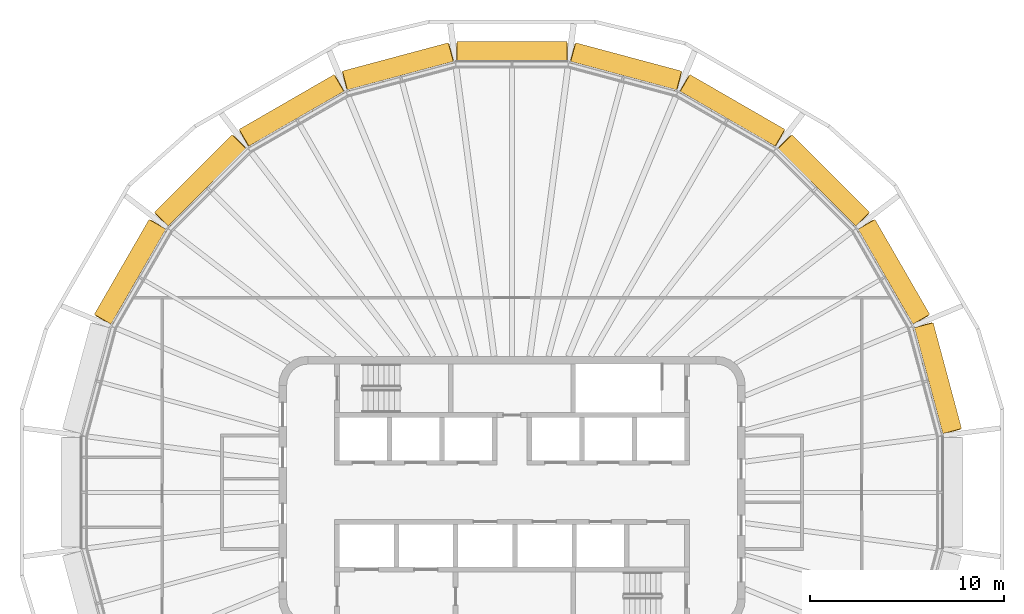
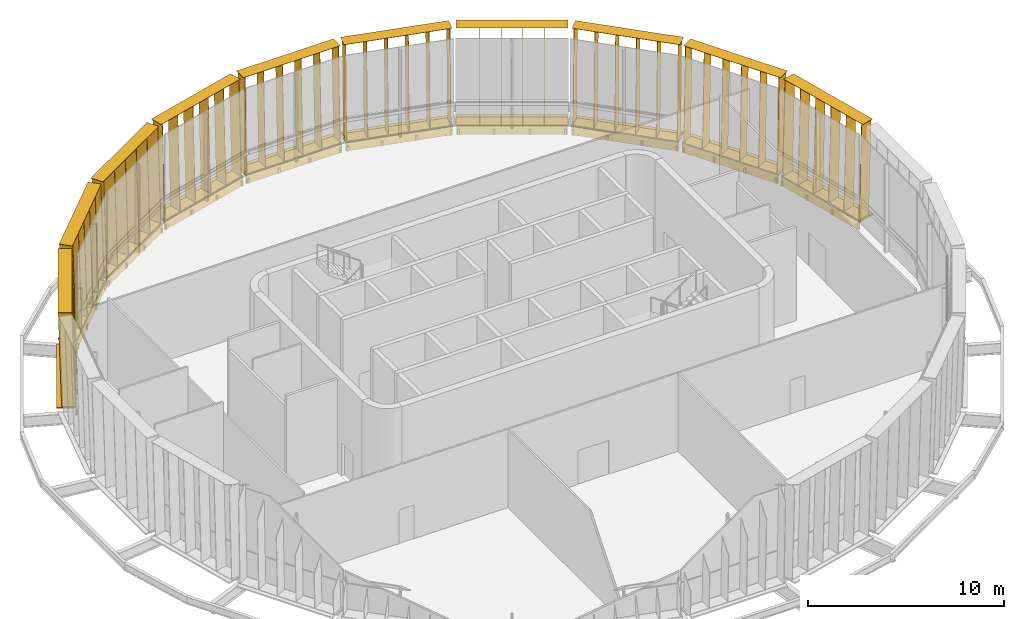
# One storey, part 14 of 14: 20 shading devices.
"""IFC4 building model written with IfcOpenShell, lengths in metres."""

import ifcopenshell
import ifcopenshell.guid

model = None  # the IFC model being written
_history = None  # IfcOwnerHistory: only IFC2X3 demands one
_inside = {}  # id of a spatial element -> (the spatial element, [elements in it])
_under = {}  # id of a project, library or spatial element -> (it, [spatial elements below it])
_declared = {}  # id of a project -> (the project, [libraries it declares])
_typed = {}  # id of a type object -> (the type object, [elements of that type])
_made_of = {}  # id of a material, layer set ... -> (it, [elements and type objects made of it])


def new_model(schema):
    """Start an empty IFC model of exactly this schema.

    Asked for "IFC4X3", IfcOpenShell would pick the latest addendum, in which some entities
    have other attributes; the version numbers below select the first issue.
    IFC2X3 requires an IfcOwnerHistory on every rooted entity: one is made here for all.
    """
    global model, _history
    if schema == "IFC4X3":
        model = ifcopenshell.file(schema_version=(4, 3, 0, 0))
    else:
        model = ifcopenshell.file(schema=schema)
    _inside.clear()
    _under.clear()
    _declared.clear()
    _typed.clear()
    _made_of.clear()
    _history = None
    if model.schema == "IFC2X3":
        org = make("IfcOrganization", Name="unknown")
        user = make(
            "IfcPersonAndOrganization",
            ThePerson=make("IfcPerson", FamilyName="unknown"),
            TheOrganization=org,
        )
        app = make(
            "IfcApplication",
            ApplicationDeveloper=org,
            Version="unknown",
            ApplicationFullName="unknown",
            ApplicationIdentifier="unknown",
        )
        _history = make(
            "IfcOwnerHistory",
            OwningUser=user,
            OwningApplication=app,
            ChangeAction="ADDED",
            CreationDate=0,
        )
    return model


def make(cls, **values):
    """One entity of the class cls with the attributes given. An attribute that is None is left unset."""
    return model.create_entity(
        cls, **{name: value for name, value in values.items() if value is not None}
    )


def rooted(cls, **values):
    """An entity with a GlobalId (a new one), such as an element, a storey or a relation."""
    return make(cls, GlobalId=ifcopenshell.guid.new(), OwnerHistory=_history, **values)


def si_unit(unit_type, name, prefix=None):
    """IfcSIUnit, for example si_unit("LENGTHUNIT", "METRE", prefix="MILLI")."""
    return make("IfcSIUnit", UnitType=unit_type, Prefix=prefix, Name=name)


def assignment(units):
    """IfcUnitAssignment: the units of a project."""
    return None if units is None else make("IfcUnitAssignment", Units=units)


def point(xyz):
    """IfcCartesianPoint."""
    return None if xyz is None else make("IfcCartesianPoint", Coordinates=xyz)


def direction(xyz):
    """IfcDirection."""
    return None if xyz is None else make("IfcDirection", DirectionRatios=xyz)


def frame(location, z_axis=None, x_axis=None):
    """IfcAxis2Placement3D, a coordinate frame: its origin and axes. An axis left out is left unset."""
    return make(
        "IfcAxis2Placement3D",
        Location=point(location),
        Axis=direction(z_axis),
        RefDirection=direction(x_axis),
    )


def frame_2d(location, x_axis=None):
    """IfcAxis2Placement2D, a coordinate frame in the plane: its origin and x axis."""
    return make(
        "IfcAxis2Placement2D", Location=point(location), RefDirection=direction(x_axis)
    )


def origin():
    """The frame at (0, 0, 0) with its axes left unset."""
    return frame((0.0, 0.0, 0.0))


def origin_2d():
    """The frame at (0, 0) in the plane with its x axis left unset."""
    return frame_2d((0.0, 0.0))


def place(relative_to, where):
    """IfcLocalPlacement: puts the frame where relative to a parent placement (None: the world)."""
    return make(
        "IfcLocalPlacement", PlacementRelTo=relative_to, RelativePlacement=where
    )


def context(
    kind, dimensions, precision=None, world=None, true_north=None, identifier=None
):
    """IfcGeometricRepresentationContext, for example the 3D "Model" context."""
    return make(
        "IfcGeometricRepresentationContext",
        ContextIdentifier=identifier,
        ContextType=kind,
        CoordinateSpaceDimension=dimensions,
        Precision=precision,
        WorldCoordinateSystem=world,
        TrueNorth=true_north,
    )


def subcontext(parent, identifier, kind, view, scale=None):
    """IfcGeometricRepresentationSubContext, for example "Body" below "Model"."""
    return make(
        "IfcGeometricRepresentationSubContext",
        ContextIdentifier=identifier,
        ContextType=kind,
        ParentContext=parent,
        TargetScale=scale,
        TargetView=view,
    )


def project(units=None, contexts=None):
    """IfcProject with its units and contexts."""
    return rooted(
        "IfcProject",
        Name="project",
        RepresentationContexts=contexts,
        UnitsInContext=assignment(units),
    )


def spatial(cls, under=None, at=None, **own):
    """A site, building, storey or space (cls), placed at a placement, below another one or the project."""
    s = rooted(cls, ObjectPlacement=at, **own)
    if under is not None:
        _under.setdefault(under.id(), (under, []))[1].append(s)
    return s


def profile(cls, at=None, kind="AREA", **sizes):
    """A parametric profile (cls). Its sizes go by their IFC names, for example OverallWidth=200.0."""
    return make(cls, ProfileType=kind, Position=at, **sizes)


def rectangle(**sizes):
    """IfcRectangleProfileDef."""
    return profile("IfcRectangleProfileDef", **sizes)


def extrude(swept, where, along, depth):
    """IfcExtrudedAreaSolid: the profile swept, set in the frame where, extruded along a direction by depth."""
    return make(
        "IfcExtrudedAreaSolid",
        SweptArea=swept,
        Position=where,
        ExtrudedDirection=direction(along),
        Depth=depth,
    )


def shape(context_of_items, identifier, shape_type, items):
    """IfcShapeRepresentation: the items that make up one representation, for example the "Body"."""
    return make(
        "IfcShapeRepresentation",
        ContextOfItems=context_of_items,
        RepresentationIdentifier=identifier,
        RepresentationType=shape_type,
        Items=items,
    )


def material(Name=None, Category=None):
    """IfcMaterial."""
    return make("IfcMaterial", Name=Name, Category=Category)


def made_of(thing, what):
    """Note that an element or type object is made of a material, layer set ...; save() writes the relation."""
    if what is not None:
        _made_of.setdefault(what.id(), (what, []))[1].append(thing)
    return thing


def type_object(cls, material=None, **own):
    """A type object (cls), such as IfcWallType, which elements share."""
    return made_of(rooted(cls, **own), material)


def element(
    cls,
    number,
    at=None,
    inside=None,
    cuts=None,
    type_object=None,
    material=None,
    context=None,
    identifier="Body",
    shape_type=None,
    held_by="IfcProductDefinitionShape",
    body=None,
    shapes=None,
    **own,
):
    """One element of the class cls, such as IfcWall. Its Tag is "e" and its number.

    at: its placement. inside: the storey or other place that contains it. cuts: it is an
    opening in that element (IfcRelVoidsElement). A single representation is given by context,
    identifier, shape_type and body (its items); several are given by shapes. held_by: the class
    of the entity that holds the representations. save() writes the other relations.
    """
    e = rooted(cls, Tag="e%d" % number, ObjectPlacement=at, **own)
    if body is not None:
        shapes = [shape(context, identifier, shape_type, body)]
    if shapes is not None:
        e.Representation = make(held_by, Representations=shapes)
    if inside is not None:
        _inside.setdefault(inside.id(), (inside, []))[1].append(e)
    if cuts is not None:
        rooted(
            "IfcRelVoidsElement", RelatingBuildingElement=cuts, RelatedOpeningElement=e
        )
    if type_object is not None:
        _typed.setdefault(type_object.id(), (type_object, []))[1].append(e)
    return made_of(e, material)


def aggregate(whole, parts):
    """IfcRelAggregates: a whole, such as a stair, and the parts it consists of."""
    return rooted("IfcRelAggregates", RelatingObject=whole, RelatedObjects=parts)


def save(model, path):
    """Write the relations noted so far, then the file.

    IfcRelAggregates (storeys below a building ...), IfcRelContainedInSpatialStructure (elements
    in a storey), IfcRelDefinesByType, IfcRelAssociatesMaterial and IfcRelDeclares: one each for
    every whole, place, type object, material and project.
    """
    for whole, parts in _under.values():
        aggregate(whole, parts)
    for where, things in _inside.values():
        rooted(
            "IfcRelContainedInSpatialStructure",
            RelatedElements=things,
            RelatingStructure=where,
        )
    for kind, things in _typed.values():
        rooted("IfcRelDefinesByType", RelatedObjects=things, RelatingType=kind)
    for what, things in _made_of.values():
        rooted("IfcRelAssociatesMaterial", RelatedObjects=things, RelatingMaterial=what)
    for by, libraries in _declared.values():
        rooted("IfcRelDeclares", RelatingContext=by, RelatedDefinitions=libraries)
    model.write(path)


model = new_model("IFC4")

# Units and contexts
model_context = context("Model", 3, precision=1e-05, world=origin(), true_north=direction((0.0, 1.0)))
body_context = subcontext(model_context, "Body", "Model", "MODEL_VIEW")
ifc_project = project(units=[si_unit("LENGTHUNIT", "METRE"), si_unit("AREAUNIT", "SQUARE_METRE"), si_unit("VOLUMEUNIT", "CUBIC_METRE"), si_unit("PLANEANGLEUNIT", "RADIAN"), si_unit("MASSUNIT", "GRAM", prefix="KILO")], contexts=[model_context])

# Site, building, storey
site_placement = place(None, origin())
site = spatial("IfcSite", under=ifc_project, at=site_placement, CompositionType="ELEMENT")
building_placement = place(site_placement, origin())
building = spatial("IfcBuilding", under=site, at=building_placement, Name="Sahrelin Media Tower", CompositionType="ELEMENT")
storey_placement = place(building_placement, frame((0.0, 0.0, 329.800048828125)))
storey = spatial("IfcBuildingStorey", under=building, at=storey_placement, Name="L73", CompositionType="ELEMENT", Elevation=329.800048828125)

# Shading devices
ifc_material = material(Name="Champagne anodised aluminium 6063-T6", Category="aluminium")
shading_device_type_1 = type_object("IfcShadingDeviceType", Name="Fin cassette", PredefinedType="USERDEFINED", material=ifc_material)
placement_1 = place(storey_placement, frame((21.415283203125, 5.73828125, 0.0), z_axis=(0.0, 0.0, 1.0), x_axis=(0.258807731996, -0.965928857556, 0.0)))
element("IfcShadingDevice", 1, at=placement_1, inside=storey, type_object=shading_device_type_1, Name="L73:FIN:L73-01", ObjectType="FIN", PredefinedType="USERDEFINED", context=body_context, shape_type="SweptSolid", body=[
    extrude(rectangle(XDim=5.699951171875, YDim=0.699951171875, at=origin_2d()), frame((0.0, 0.419921875, 0.0)), (0.0, 0.0, 1.0), 0.02001953125),
    extrude(rectangle(XDim=5.699951171875, YDim=0.699951171875, at=origin_2d()), frame((0.0, 0.60009765625, 5.89990234375)), (0.0, 0.0, 1.0), 0.02001953125),
    extrude(rectangle(XDim=0.02001953125, YDim=0.699951171875, at=origin_2d()), frame((-2.75, 0.419921875, 0.010009765625), z_axis=(0.0, 0.030524542951, 0.999534017569), x_axis=(-1.0, 0.0, 0.0)), (0.0, 0.0, 1.0), 5.902587890625),
    extrude(rectangle(XDim=0.02001953125, YDim=0.699951171875, at=origin_2d()), frame((-1.64990234375, 0.419921875, 0.010009765625), z_axis=(0.0, 0.030524542951, 0.999534017569), x_axis=(-1.0, 0.0, 0.0)), (0.0, 0.0, 1.0), 5.902587890625),
    extrude(rectangle(XDim=0.02001953125, YDim=0.699951171875, at=origin_2d()), frame((-0.550048828125, 0.419921875, 0.010009765625), z_axis=(0.0, 0.030524542951, 0.999534017569), x_axis=(-1.0, 0.0, 0.0)), (0.0, 0.0, 1.0), 5.902587890625),
    extrude(rectangle(XDim=0.02001953125, YDim=0.699951171875, at=origin_2d()), frame((0.550048828125, 0.419921875, 0.010009765625), z_axis=(0.0, 0.030524542951, 0.999534017569), x_axis=(-1.0, 0.0, 0.0)), (0.0, 0.0, 1.0), 5.902587890625),
    extrude(rectangle(XDim=0.02001953125, YDim=0.699951171875, at=origin_2d()), frame((1.64990234375, 0.419921875, 0.010009765625), z_axis=(0.0, 0.030524542951, 0.999534017569), x_axis=(-1.0, 0.0, 0.0)), (0.0, 0.0, 1.0), 5.902587890625),
    extrude(rectangle(XDim=0.02001953125, YDim=0.699951171875, at=origin_2d()), frame((2.75, 0.419921875, 0.010009765625), z_axis=(0.0, 0.030524542951, 0.999534017569), x_axis=(-1.0, 0.0, 0.0)), (0.0, 0.0, 1.0), 5.902587890625),
])
placement_2 = place(storey_placement, frame((19.200439453125, 11.08544921875, 0.0), z_axis=(0.0, 0.0, 1.0), x_axis=(0.500011000363, -0.866019052629, 0.0)))
element("IfcShadingDevice", 2, at=placement_2, inside=storey, type_object=shading_device_type_1, Name="L73:FIN:L73-02", ObjectType="FIN", PredefinedType="USERDEFINED", context=body_context, shape_type="SweptSolid", body=[
    extrude(rectangle(XDim=5.699951171875, YDim=0.699951171875, at=origin_2d()), frame((0.0, 0.419921875, 0.0)), (0.0, 0.0, 1.0), 0.02001953125),
    extrude(rectangle(XDim=5.699951171875, YDim=0.699951171875, at=origin_2d()), frame((0.0, 0.60009765625, 5.89990234375)), (0.0, 0.0, 1.0), 0.02001953125),
    extrude(rectangle(XDim=0.02001953125, YDim=0.699951171875, at=origin_2d()), frame((-2.75, 0.419921875, 0.010009765625), z_axis=(0.0, 0.030524542951, 0.999534017569), x_axis=(-1.0, 0.0, 0.0)), (0.0, 0.0, 1.0), 5.902587890625),
    extrude(rectangle(XDim=0.02001953125, YDim=0.699951171875, at=origin_2d()), frame((-1.64990234375, 0.419921875, 0.010009765625), z_axis=(0.0, 0.030524542951, 0.999534017569), x_axis=(-1.0, 0.0, 0.0)), (0.0, 0.0, 1.0), 5.902587890625),
    extrude(rectangle(XDim=0.02001953125, YDim=0.699951171875, at=origin_2d()), frame((-0.550048828125, 0.419921875, 0.010009765625), z_axis=(0.0, 0.030524542951, 0.999534017569), x_axis=(-1.0, 0.0, 0.0)), (0.0, 0.0, 1.0), 5.902587890625),
    extrude(rectangle(XDim=0.02001953125, YDim=0.699951171875, at=origin_2d()), frame((0.550048828125, 0.419921875, 0.010009765625), z_axis=(0.0, 0.030524542951, 0.999534017569), x_axis=(-1.0, 0.0, 0.0)), (0.0, 0.0, 1.0), 5.902587890625),
    extrude(rectangle(XDim=0.02001953125, YDim=0.699951171875, at=origin_2d()), frame((1.64990234375, 0.419921875, 0.010009765625), z_axis=(0.0, 0.030524542951, 0.999534017569), x_axis=(-1.0, 0.0, 0.0)), (0.0, 0.0, 1.0), 5.902587890625),
    extrude(rectangle(XDim=0.02001953125, YDim=0.699951171875, at=origin_2d()), frame((2.75, 0.419921875, 0.010009765625), z_axis=(0.0, 0.030524542951, 0.999534017569), x_axis=(-1.0, 0.0, 0.0)), (0.0, 0.0, 1.0), 5.902587890625),
])
placement_3 = place(storey_placement, frame((15.67724609375, 15.67724609375, 0.0), z_axis=(0.0, 0.0, 1.0), x_axis=(0.707106781187, -0.707106781187, 0.0)))
element("IfcShadingDevice", 3, at=placement_3, inside=storey, type_object=shading_device_type_1, Name="L73:FIN:L73-03", ObjectType="FIN", PredefinedType="USERDEFINED", context=body_context, shape_type="SweptSolid", body=[
    extrude(rectangle(XDim=5.699951171875, YDim=0.699951171875, at=origin_2d()), frame((0.0, 0.419921875, 0.0)), (0.0, 0.0, 1.0), 0.02001953125),
    extrude(rectangle(XDim=5.699951171875, YDim=0.699951171875, at=origin_2d()), frame((0.0, 0.60009765625, 5.89990234375)), (0.0, 0.0, 1.0), 0.02001953125),
    extrude(rectangle(XDim=0.02001953125, YDim=0.699951171875, at=origin_2d()), frame((-2.75, 0.419921875, 0.010009765625), z_axis=(0.0, 0.030524542951, 0.999534017569), x_axis=(-1.0, 0.0, 0.0)), (0.0, 0.0, 1.0), 5.902587890625),
    extrude(rectangle(XDim=0.02001953125, YDim=0.699951171875, at=origin_2d()), frame((-1.64990234375, 0.419921875, 0.010009765625), z_axis=(0.0, 0.030524542951, 0.999534017569), x_axis=(-1.0, 0.0, 0.0)), (0.0, 0.0, 1.0), 5.902587890625),
    extrude(rectangle(XDim=0.02001953125, YDim=0.699951171875, at=origin_2d()), frame((-0.550048828125, 0.419921875, 0.010009765625), z_axis=(0.0, 0.030524542951, 0.999534017569), x_axis=(-1.0, 0.0, 0.0)), (0.0, 0.0, 1.0), 5.902587890625),
    extrude(rectangle(XDim=0.02001953125, YDim=0.699951171875, at=origin_2d()), frame((0.550048828125, 0.419921875, 0.010009765625), z_axis=(0.0, 0.030524542951, 0.999534017569), x_axis=(-1.0, 0.0, 0.0)), (0.0, 0.0, 1.0), 5.902587890625),
    extrude(rectangle(XDim=0.02001953125, YDim=0.699951171875, at=origin_2d()), frame((1.64990234375, 0.419921875, 0.010009765625), z_axis=(0.0, 0.030524542951, 0.999534017569), x_axis=(-1.0, 0.0, 0.0)), (0.0, 0.0, 1.0), 5.902587890625),
    extrude(rectangle(XDim=0.02001953125, YDim=0.699951171875, at=origin_2d()), frame((2.75, 0.419921875, 0.010009765625), z_axis=(0.0, 0.030524542951, 0.999534017569), x_axis=(-1.0, 0.0, 0.0)), (0.0, 0.0, 1.0), 5.902587890625),
])
placement_4 = place(storey_placement, frame((11.08544921875, 19.200439453125, 0.0), z_axis=(0.0, 0.0, 1.0), x_axis=(0.866019052629, -0.500011000363, 0.0)))
element("IfcShadingDevice", 4, at=placement_4, inside=storey, type_object=shading_device_type_1, Name="L73:FIN:L73-04", ObjectType="FIN", PredefinedType="USERDEFINED", context=body_context, shape_type="SweptSolid", body=[
    extrude(rectangle(XDim=5.699951171875, YDim=0.699951171875, at=origin_2d()), frame((0.0, 0.419921875, 0.0)), (0.0, 0.0, 1.0), 0.02001953125),
    extrude(rectangle(XDim=5.699951171875, YDim=0.699951171875, at=origin_2d()), frame((0.0, 0.60009765625, 5.89990234375)), (0.0, 0.0, 1.0), 0.02001953125),
    extrude(rectangle(XDim=0.02001953125, YDim=0.699951171875, at=origin_2d()), frame((-2.75, 0.419921875, 0.010009765625), z_axis=(0.0, 0.030524542951, 0.999534017569), x_axis=(-1.0, 0.0, 0.0)), (0.0, 0.0, 1.0), 5.902587890625),
    extrude(rectangle(XDim=0.02001953125, YDim=0.699951171875, at=origin_2d()), frame((-1.64990234375, 0.419921875, 0.010009765625), z_axis=(0.0, 0.030524542951, 0.999534017569), x_axis=(-1.0, 0.0, 0.0)), (0.0, 0.0, 1.0), 5.902587890625),
    extrude(rectangle(XDim=0.02001953125, YDim=0.699951171875, at=origin_2d()), frame((-0.550048828125, 0.419921875, 0.010009765625), z_axis=(0.0, 0.030524542951, 0.999534017569), x_axis=(-1.0, 0.0, 0.0)), (0.0, 0.0, 1.0), 5.902587890625),
    extrude(rectangle(XDim=0.02001953125, YDim=0.699951171875, at=origin_2d()), frame((0.550048828125, 0.419921875, 0.010009765625), z_axis=(0.0, 0.030524542951, 0.999534017569), x_axis=(-1.0, 0.0, 0.0)), (0.0, 0.0, 1.0), 5.902587890625),
    extrude(rectangle(XDim=0.02001953125, YDim=0.699951171875, at=origin_2d()), frame((1.64990234375, 0.419921875, 0.010009765625), z_axis=(0.0, 0.030524542951, 0.999534017569), x_axis=(-1.0, 0.0, 0.0)), (0.0, 0.0, 1.0), 5.902587890625),
    extrude(rectangle(XDim=0.02001953125, YDim=0.699951171875, at=origin_2d()), frame((2.75, 0.419921875, 0.010009765625), z_axis=(0.0, 0.030524542951, 0.999534017569), x_axis=(-1.0, 0.0, 0.0)), (0.0, 0.0, 1.0), 5.902587890625),
])
placement_5 = place(storey_placement, frame((5.73828125, 21.415283203125, 0.0), z_axis=(0.0, 0.0, 1.0), x_axis=(0.965928857556, -0.258807731996, 0.0)))
element("IfcShadingDevice", 5, at=placement_5, inside=storey, type_object=shading_device_type_1, Name="L73:FIN:L73-05", ObjectType="FIN", PredefinedType="USERDEFINED", context=body_context, shape_type="SweptSolid", body=[
    extrude(rectangle(XDim=5.699951171875, YDim=0.699951171875, at=origin_2d()), frame((0.0, 0.419921875, 0.0)), (0.0, 0.0, 1.0), 0.02001953125),
    extrude(rectangle(XDim=5.699951171875, YDim=0.699951171875, at=origin_2d()), frame((0.0, 0.60009765625, 5.89990234375)), (0.0, 0.0, 1.0), 0.02001953125),
    extrude(rectangle(XDim=0.02001953125, YDim=0.699951171875, at=origin_2d()), frame((-2.75, 0.419921875, 0.010009765625), z_axis=(0.0, 0.030524542951, 0.999534017569), x_axis=(-1.0, 0.0, 0.0)), (0.0, 0.0, 1.0), 5.902587890625),
    extrude(rectangle(XDim=0.02001953125, YDim=0.699951171875, at=origin_2d()), frame((-1.64990234375, 0.419921875, 0.010009765625), z_axis=(0.0, 0.030524542951, 0.999534017569), x_axis=(-1.0, 0.0, 0.0)), (0.0, 0.0, 1.0), 5.902587890625),
    extrude(rectangle(XDim=0.02001953125, YDim=0.699951171875, at=origin_2d()), frame((-0.550048828125, 0.419921875, 0.010009765625), z_axis=(0.0, 0.030524542951, 0.999534017569), x_axis=(-1.0, 0.0, 0.0)), (0.0, 0.0, 1.0), 5.902587890625),
    extrude(rectangle(XDim=0.02001953125, YDim=0.699951171875, at=origin_2d()), frame((0.550048828125, 0.419921875, 0.010009765625), z_axis=(0.0, 0.030524542951, 0.999534017569), x_axis=(-1.0, 0.0, 0.0)), (0.0, 0.0, 1.0), 5.902587890625),
    extrude(rectangle(XDim=0.02001953125, YDim=0.699951171875, at=origin_2d()), frame((1.64990234375, 0.419921875, 0.010009765625), z_axis=(0.0, 0.030524542951, 0.999534017569), x_axis=(-1.0, 0.0, 0.0)), (0.0, 0.0, 1.0), 5.902587890625),
    extrude(rectangle(XDim=0.02001953125, YDim=0.699951171875, at=origin_2d()), frame((2.75, 0.419921875, 0.010009765625), z_axis=(0.0, 0.030524542951, 0.999534017569), x_axis=(-1.0, 0.0, 0.0)), (0.0, 0.0, 1.0), 5.902587890625),
])
placement_6 = place(storey_placement, frame((0.0, 22.1708984375, 0.0), z_axis=(0.0, 0.0, 1.0), x_axis=(1.0, 0.0, 0.0)))
element("IfcShadingDevice", 6, at=placement_6, inside=storey, type_object=shading_device_type_1, Name="L73:FIN:L73-06", ObjectType="FIN", PredefinedType="USERDEFINED", context=body_context, shape_type="SweptSolid", body=[
    extrude(rectangle(XDim=5.699951171875, YDim=0.699951171875, at=origin_2d()), frame((0.0, 0.419921875, 0.0)), (0.0, 0.0, 1.0), 0.02001953125),
    extrude(rectangle(XDim=5.699951171875, YDim=0.699951171875, at=origin_2d()), frame((0.0, 0.60009765625, 5.89990234375)), (0.0, 0.0, 1.0), 0.02001953125),
    extrude(rectangle(XDim=0.02001953125, YDim=0.699951171875, at=origin_2d()), frame((-2.75, 0.419921875, 0.010009765625), z_axis=(0.0, 0.030524542951, 0.999534017569), x_axis=(-1.0, 0.0, 0.0)), (0.0, 0.0, 1.0), 5.902587890625),
    extrude(rectangle(XDim=0.02001953125, YDim=0.699951171875, at=origin_2d()), frame((-1.64990234375, 0.419921875, 0.010009765625), z_axis=(0.0, 0.030524542951, 0.999534017569), x_axis=(-1.0, 0.0, 0.0)), (0.0, 0.0, 1.0), 5.902587890625),
    extrude(rectangle(XDim=0.02001953125, YDim=0.699951171875, at=origin_2d()), frame((-0.550048828125, 0.419921875, 0.010009765625), z_axis=(0.0, 0.030524542951, 0.999534017569), x_axis=(-1.0, 0.0, 0.0)), (0.0, 0.0, 1.0), 5.902587890625),
    extrude(rectangle(XDim=0.02001953125, YDim=0.699951171875, at=origin_2d()), frame((0.550048828125, 0.419921875, 0.010009765625), z_axis=(0.0, 0.030524542951, 0.999534017569), x_axis=(-1.0, 0.0, 0.0)), (0.0, 0.0, 1.0), 5.902587890625),
    extrude(rectangle(XDim=0.02001953125, YDim=0.699951171875, at=origin_2d()), frame((1.64990234375, 0.419921875, 0.010009765625), z_axis=(0.0, 0.030524542951, 0.999534017569), x_axis=(-1.0, 0.0, 0.0)), (0.0, 0.0, 1.0), 5.902587890625),
    extrude(rectangle(XDim=0.02001953125, YDim=0.699951171875, at=origin_2d()), frame((2.75, 0.419921875, 0.010009765625), z_axis=(0.0, 0.030524542951, 0.999534017569), x_axis=(-1.0, 0.0, 0.0)), (0.0, 0.0, 1.0), 5.902587890625),
])
placement_7 = place(storey_placement, frame((-5.73828125, 21.415283203125, 0.0), z_axis=(0.0, 0.0, 1.0), x_axis=(0.965928857556, 0.258807731996, 0.0)))
element("IfcShadingDevice", 7, at=placement_7, inside=storey, type_object=shading_device_type_1, Name="L73:FIN:L73-07", ObjectType="FIN", PredefinedType="USERDEFINED", context=body_context, shape_type="SweptSolid", body=[
    extrude(rectangle(XDim=5.699951171875, YDim=0.699951171875, at=origin_2d()), frame((0.0, 0.419921875, 0.0)), (0.0, 0.0, 1.0), 0.02001953125),
    extrude(rectangle(XDim=5.699951171875, YDim=0.699951171875, at=origin_2d()), frame((0.0, 0.60009765625, 5.89990234375)), (0.0, 0.0, 1.0), 0.02001953125),
    extrude(rectangle(XDim=0.02001953125, YDim=0.699951171875, at=origin_2d()), frame((-2.75, 0.419921875, 0.010009765625), z_axis=(0.0, 0.030524542951, 0.999534017569), x_axis=(-1.0, 0.0, 0.0)), (0.0, 0.0, 1.0), 5.902587890625),
    extrude(rectangle(XDim=0.02001953125, YDim=0.699951171875, at=origin_2d()), frame((-1.64990234375, 0.419921875, 0.010009765625), z_axis=(0.0, 0.030524542951, 0.999534017569), x_axis=(-1.0, 0.0, 0.0)), (0.0, 0.0, 1.0), 5.902587890625),
    extrude(rectangle(XDim=0.02001953125, YDim=0.699951171875, at=origin_2d()), frame((-0.550048828125, 0.419921875, 0.010009765625), z_axis=(0.0, 0.030524542951, 0.999534017569), x_axis=(-1.0, 0.0, 0.0)), (0.0, 0.0, 1.0), 5.902587890625),
    extrude(rectangle(XDim=0.02001953125, YDim=0.699951171875, at=origin_2d()), frame((0.550048828125, 0.419921875, 0.010009765625), z_axis=(0.0, 0.030524542951, 0.999534017569), x_axis=(-1.0, 0.0, 0.0)), (0.0, 0.0, 1.0), 5.902587890625),
    extrude(rectangle(XDim=0.02001953125, YDim=0.699951171875, at=origin_2d()), frame((1.64990234375, 0.419921875, 0.010009765625), z_axis=(0.0, 0.030524542951, 0.999534017569), x_axis=(-1.0, 0.0, 0.0)), (0.0, 0.0, 1.0), 5.902587890625),
    extrude(rectangle(XDim=0.02001953125, YDim=0.699951171875, at=origin_2d()), frame((2.75, 0.419921875, 0.010009765625), z_axis=(0.0, 0.030524542951, 0.999534017569), x_axis=(-1.0, 0.0, 0.0)), (0.0, 0.0, 1.0), 5.902587890625),
])
placement_8 = place(storey_placement, frame((-11.08544921875, 19.200439453125, 0.0), z_axis=(0.0, 0.0, 1.0), x_axis=(0.866019052629, 0.500011000363, 0.0)))
element("IfcShadingDevice", 8, at=placement_8, inside=storey, type_object=shading_device_type_1, Name="L73:FIN:L73-08", ObjectType="FIN", PredefinedType="USERDEFINED", context=body_context, shape_type="SweptSolid", body=[
    extrude(rectangle(XDim=5.699951171875, YDim=0.699951171875, at=origin_2d()), frame((0.0, 0.419921875, 0.0)), (0.0, 0.0, 1.0), 0.02001953125),
    extrude(rectangle(XDim=5.699951171875, YDim=0.699951171875, at=origin_2d()), frame((0.0, 0.60009765625, 5.89990234375)), (0.0, 0.0, 1.0), 0.02001953125),
    extrude(rectangle(XDim=0.02001953125, YDim=0.699951171875, at=origin_2d()), frame((-2.75, 0.419921875, 0.010009765625), z_axis=(0.0, 0.030524542951, 0.999534017569), x_axis=(-1.0, 0.0, 0.0)), (0.0, 0.0, 1.0), 5.902587890625),
    extrude(rectangle(XDim=0.02001953125, YDim=0.699951171875, at=origin_2d()), frame((-1.64990234375, 0.419921875, 0.010009765625), z_axis=(0.0, 0.030524542951, 0.999534017569), x_axis=(-1.0, 0.0, 0.0)), (0.0, 0.0, 1.0), 5.902587890625),
    extrude(rectangle(XDim=0.02001953125, YDim=0.699951171875, at=origin_2d()), frame((-0.550048828125, 0.419921875, 0.010009765625), z_axis=(0.0, 0.030524542951, 0.999534017569), x_axis=(-1.0, 0.0, 0.0)), (0.0, 0.0, 1.0), 5.902587890625),
    extrude(rectangle(XDim=0.02001953125, YDim=0.699951171875, at=origin_2d()), frame((0.550048828125, 0.419921875, 0.010009765625), z_axis=(0.0, 0.030524542951, 0.999534017569), x_axis=(-1.0, 0.0, 0.0)), (0.0, 0.0, 1.0), 5.902587890625),
    extrude(rectangle(XDim=0.02001953125, YDim=0.699951171875, at=origin_2d()), frame((1.64990234375, 0.419921875, 0.010009765625), z_axis=(0.0, 0.030524542951, 0.999534017569), x_axis=(-1.0, 0.0, 0.0)), (0.0, 0.0, 1.0), 5.902587890625),
    extrude(rectangle(XDim=0.02001953125, YDim=0.699951171875, at=origin_2d()), frame((2.75, 0.419921875, 0.010009765625), z_axis=(0.0, 0.030524542951, 0.999534017569), x_axis=(-1.0, 0.0, 0.0)), (0.0, 0.0, 1.0), 5.902587890625),
])
placement_9 = place(storey_placement, frame((-15.677001953125, 15.677001953125, 0.0), z_axis=(0.0, 0.0, 1.0), x_axis=(0.707106781187, 0.707106781187, 0.0)))
element("IfcShadingDevice", 9, at=placement_9, inside=storey, type_object=shading_device_type_1, Name="L73:FIN:L73-09", ObjectType="FIN", PredefinedType="USERDEFINED", context=body_context, shape_type="SweptSolid", body=[
    extrude(rectangle(XDim=5.699951171875, YDim=0.699951171875, at=origin_2d()), frame((0.0, 0.419921875, 0.0)), (0.0, 0.0, 1.0), 0.02001953125),
    extrude(rectangle(XDim=5.699951171875, YDim=0.699951171875, at=origin_2d()), frame((0.0, 0.60009765625, 5.89990234375)), (0.0, 0.0, 1.0), 0.02001953125),
    extrude(rectangle(XDim=0.02001953125, YDim=0.699951171875, at=origin_2d()), frame((-2.75, 0.419921875, 0.010009765625), z_axis=(0.0, 0.030524542951, 0.999534017569), x_axis=(-1.0, 0.0, 0.0)), (0.0, 0.0, 1.0), 5.902587890625),
    extrude(rectangle(XDim=0.02001953125, YDim=0.699951171875, at=origin_2d()), frame((-1.64990234375, 0.419921875, 0.010009765625), z_axis=(0.0, 0.030524542951, 0.999534017569), x_axis=(-1.0, 0.0, 0.0)), (0.0, 0.0, 1.0), 5.902587890625),
    extrude(rectangle(XDim=0.02001953125, YDim=0.699951171875, at=origin_2d()), frame((-0.550048828125, 0.419921875, 0.010009765625), z_axis=(0.0, 0.030524542951, 0.999534017569), x_axis=(-1.0, 0.0, 0.0)), (0.0, 0.0, 1.0), 5.902587890625),
    extrude(rectangle(XDim=0.02001953125, YDim=0.699951171875, at=origin_2d()), frame((0.550048828125, 0.419921875, 0.010009765625), z_axis=(0.0, 0.030524542951, 0.999534017569), x_axis=(-1.0, 0.0, 0.0)), (0.0, 0.0, 1.0), 5.902587890625),
    extrude(rectangle(XDim=0.02001953125, YDim=0.699951171875, at=origin_2d()), frame((1.64990234375, 0.419921875, 0.010009765625), z_axis=(0.0, 0.030524542951, 0.999534017569), x_axis=(-1.0, 0.0, 0.0)), (0.0, 0.0, 1.0), 5.902587890625),
    extrude(rectangle(XDim=0.02001953125, YDim=0.699951171875, at=origin_2d()), frame((2.75, 0.419921875, 0.010009765625), z_axis=(0.0, 0.030524542951, 0.999534017569), x_axis=(-1.0, 0.0, 0.0)), (0.0, 0.0, 1.0), 5.902587890625),
])
placement_10 = place(storey_placement, frame((-19.200439453125, 11.08544921875, 0.0), z_axis=(0.0, 0.0, 1.0), x_axis=(0.500011000363, 0.866019052629, 0.0)))
element("IfcShadingDevice", 10, at=placement_10, inside=storey, type_object=shading_device_type_1, Name="L73:FIN:L73-10", ObjectType="FIN", PredefinedType="USERDEFINED", context=body_context, shape_type="SweptSolid", body=[
    extrude(rectangle(XDim=5.699951171875, YDim=0.699951171875, at=origin_2d()), frame((0.0, 0.419921875, 0.0)), (0.0, 0.0, 1.0), 0.02001953125),
    extrude(rectangle(XDim=5.699951171875, YDim=0.699951171875, at=origin_2d()), frame((0.0, 0.60009765625, 5.89990234375)), (0.0, 0.0, 1.0), 0.02001953125),
    extrude(rectangle(XDim=0.02001953125, YDim=0.699951171875, at=origin_2d()), frame((-2.75, 0.419921875, 0.010009765625), z_axis=(0.0, 0.030524542951, 0.999534017569), x_axis=(-1.0, 0.0, 0.0)), (0.0, 0.0, 1.0), 5.902587890625),
    extrude(rectangle(XDim=0.02001953125, YDim=0.699951171875, at=origin_2d()), frame((-1.64990234375, 0.419921875, 0.010009765625), z_axis=(0.0, 0.030524542951, 0.999534017569), x_axis=(-1.0, 0.0, 0.0)), (0.0, 0.0, 1.0), 5.902587890625),
    extrude(rectangle(XDim=0.02001953125, YDim=0.699951171875, at=origin_2d()), frame((-0.550048828125, 0.419921875, 0.010009765625), z_axis=(0.0, 0.030524542951, 0.999534017569), x_axis=(-1.0, 0.0, 0.0)), (0.0, 0.0, 1.0), 5.902587890625),
    extrude(rectangle(XDim=0.02001953125, YDim=0.699951171875, at=origin_2d()), frame((0.550048828125, 0.419921875, 0.010009765625), z_axis=(0.0, 0.030524542951, 0.999534017569), x_axis=(-1.0, 0.0, 0.0)), (0.0, 0.0, 1.0), 5.902587890625),
    extrude(rectangle(XDim=0.02001953125, YDim=0.699951171875, at=origin_2d()), frame((1.64990234375, 0.419921875, 0.010009765625), z_axis=(0.0, 0.030524542951, 0.999534017569), x_axis=(-1.0, 0.0, 0.0)), (0.0, 0.0, 1.0), 5.902587890625),
    extrude(rectangle(XDim=0.02001953125, YDim=0.699951171875, at=origin_2d()), frame((2.75, 0.419921875, 0.010009765625), z_axis=(0.0, 0.030524542951, 0.999534017569), x_axis=(-1.0, 0.0, 0.0)), (0.0, 0.0, 1.0), 5.902587890625),
])
shading_device_type_2 = type_object("IfcShadingDeviceType", Name="Sunshade band", PredefinedType="USERDEFINED", material=ifc_material)
element("IfcShadingDevice", 11, at=placement_1, inside=storey, type_object=shading_device_type_2, Name="L73:SUN:L73-01", ObjectType="SUNSHADE", PredefinedType="USERDEFINED", context=body_context, shape_type="SweptSolid", body=[
    extrude(rectangle(XDim=5.6376953125, YDim=0.050048828125, at=origin_2d()), frame((0.0, 0.044921875, -0.55126953125)), (0.0, 0.0, 1.0), 0.471435546875),
    extrude(rectangle(XDim=5.6376953125, YDim=1.0, at=origin_2d()), frame((0.0, 0.52001953125, -0.080078125)), (0.0, 0.0, 1.0), 0.080078125),
    extrude(rectangle(XDim=0.10009765625, YDim=0.074951171875, at=origin_2d()), frame((-2.718994140625, -0.017578125, -0.52001953125)), (0.0, 0.0, 1.0), 0.300048828125),
    extrude(rectangle(XDim=0.10009765625, YDim=0.074951171875, at=origin_2d()), frame((-0.90625, -0.017578125, -0.52001953125)), (0.0, 0.0, 1.0), 0.300048828125),
    extrude(rectangle(XDim=0.10009765625, YDim=0.074951171875, at=origin_2d()), frame((0.90625, -0.017578125, -0.52001953125)), (0.0, 0.0, 1.0), 0.300048828125),
    extrude(rectangle(XDim=0.10009765625, YDim=0.074951171875, at=origin_2d()), frame((2.718994140625, -0.017578125, -0.52001953125)), (0.0, 0.0, 1.0), 0.300048828125),
])
element("IfcShadingDevice", 12, at=placement_2, inside=storey, type_object=shading_device_type_2, Name="L73:SUN:L73-02", ObjectType="SUNSHADE", PredefinedType="USERDEFINED", context=body_context, shape_type="SweptSolid", body=[
    extrude(rectangle(XDim=5.6376953125, YDim=0.050048828125, at=origin_2d()), frame((0.0, 0.044921875, -0.55126953125)), (0.0, 0.0, 1.0), 0.471435546875),
    extrude(rectangle(XDim=5.6376953125, YDim=1.0, at=origin_2d()), frame((0.0, 0.52001953125, -0.080078125)), (0.0, 0.0, 1.0), 0.080078125),
    extrude(rectangle(XDim=0.10009765625, YDim=0.074951171875, at=origin_2d()), frame((-2.71875, -0.017578125, -0.52001953125)), (0.0, 0.0, 1.0), 0.300048828125),
    extrude(rectangle(XDim=0.10009765625, YDim=0.074951171875, at=origin_2d()), frame((-0.90625, -0.017578125, -0.52001953125)), (0.0, 0.0, 1.0), 0.300048828125),
    extrude(rectangle(XDim=0.10009765625, YDim=0.074951171875, at=origin_2d()), frame((0.90625, -0.017578125, -0.52001953125)), (0.0, 0.0, 1.0), 0.300048828125),
    extrude(rectangle(XDim=0.10009765625, YDim=0.074951171875, at=origin_2d()), frame((2.71875, -0.017578125, -0.52001953125)), (0.0, 0.0, 1.0), 0.300048828125),
])
element("IfcShadingDevice", 13, at=placement_3, inside=storey, type_object=shading_device_type_2, Name="L73:SUN:L73-03", ObjectType="SUNSHADE", PredefinedType="USERDEFINED", context=body_context, shape_type="SweptSolid", body=[
    extrude(rectangle(XDim=5.6376953125, YDim=0.050048828125, at=origin_2d()), frame((0.0, 0.044921875, -0.55126953125)), (0.0, 0.0, 1.0), 0.471435546875),
    extrude(rectangle(XDim=5.6376953125, YDim=1.0, at=origin_2d()), frame((0.0, 0.52001953125, -0.080078125)), (0.0, 0.0, 1.0), 0.080078125),
    extrude(rectangle(XDim=0.10009765625, YDim=0.074951171875, at=origin_2d()), frame((-2.718994140625, -0.017578125, -0.52001953125)), (0.0, 0.0, 1.0), 0.300048828125),
    extrude(rectangle(XDim=0.10009765625, YDim=0.074951171875, at=origin_2d()), frame((-0.90625, -0.017578125, -0.52001953125)), (0.0, 0.0, 1.0), 0.300048828125),
    extrude(rectangle(XDim=0.10009765625, YDim=0.074951171875, at=origin_2d()), frame((0.90625, -0.017578125, -0.52001953125)), (0.0, 0.0, 1.0), 0.300048828125),
    extrude(rectangle(XDim=0.10009765625, YDim=0.074951171875, at=origin_2d()), frame((2.718994140625, -0.017578125, -0.52001953125)), (0.0, 0.0, 1.0), 0.300048828125),
])
element("IfcShadingDevice", 14, at=placement_4, inside=storey, type_object=shading_device_type_2, Name="L73:SUN:L73-04", ObjectType="SUNSHADE", PredefinedType="USERDEFINED", context=body_context, shape_type="SweptSolid", body=[
    extrude(rectangle(XDim=5.6376953125, YDim=0.050048828125, at=origin_2d()), frame((0.0, 0.044921875, -0.55126953125)), (0.0, 0.0, 1.0), 0.471435546875),
    extrude(rectangle(XDim=5.6376953125, YDim=1.0, at=origin_2d()), frame((0.0, 0.52001953125, -0.080078125)), (0.0, 0.0, 1.0), 0.080078125),
    extrude(rectangle(XDim=0.10009765625, YDim=0.074951171875, at=origin_2d()), frame((-2.71875, -0.017578125, -0.52001953125)), (0.0, 0.0, 1.0), 0.300048828125),
    extrude(rectangle(XDim=0.10009765625, YDim=0.074951171875, at=origin_2d()), frame((-0.90625, -0.017578125, -0.52001953125)), (0.0, 0.0, 1.0), 0.300048828125),
    extrude(rectangle(XDim=0.10009765625, YDim=0.074951171875, at=origin_2d()), frame((0.90625, -0.017578125, -0.52001953125)), (0.0, 0.0, 1.0), 0.300048828125),
    extrude(rectangle(XDim=0.10009765625, YDim=0.074951171875, at=origin_2d()), frame((2.71875, -0.017578125, -0.52001953125)), (0.0, 0.0, 1.0), 0.300048828125),
])
element("IfcShadingDevice", 15, at=placement_5, inside=storey, type_object=shading_device_type_2, Name="L73:SUN:L73-05", ObjectType="SUNSHADE", PredefinedType="USERDEFINED", context=body_context, shape_type="SweptSolid", body=[
    extrude(rectangle(XDim=5.6376953125, YDim=0.050048828125, at=origin_2d()), frame((0.0, 0.044921875, -0.55126953125)), (0.0, 0.0, 1.0), 0.471435546875),
    extrude(rectangle(XDim=5.6376953125, YDim=1.0, at=origin_2d()), frame((0.0, 0.52001953125, -0.080078125)), (0.0, 0.0, 1.0), 0.080078125),
    extrude(rectangle(XDim=0.10009765625, YDim=0.074951171875, at=origin_2d()), frame((-2.718994140625, -0.017578125, -0.52001953125)), (0.0, 0.0, 1.0), 0.300048828125),
    extrude(rectangle(XDim=0.10009765625, YDim=0.074951171875, at=origin_2d()), frame((-0.90625, -0.017578125, -0.52001953125)), (0.0, 0.0, 1.0), 0.300048828125),
    extrude(rectangle(XDim=0.10009765625, YDim=0.074951171875, at=origin_2d()), frame((0.90625, -0.017578125, -0.52001953125)), (0.0, 0.0, 1.0), 0.300048828125),
    extrude(rectangle(XDim=0.10009765625, YDim=0.074951171875, at=origin_2d()), frame((2.718994140625, -0.017578125, -0.52001953125)), (0.0, 0.0, 1.0), 0.300048828125),
])
element("IfcShadingDevice", 16, at=placement_6, inside=storey, type_object=shading_device_type_2, Name="L73:SUN:L73-06", ObjectType="SUNSHADE", PredefinedType="USERDEFINED", context=body_context, shape_type="SweptSolid", body=[
    extrude(rectangle(XDim=5.6376953125, YDim=0.050048828125, at=origin_2d()), frame((0.0, 0.044921875, -0.55126953125)), (0.0, 0.0, 1.0), 0.471435546875),
    extrude(rectangle(XDim=5.6376953125, YDim=1.0, at=origin_2d()), frame((0.0, 0.52001953125, -0.080078125)), (0.0, 0.0, 1.0), 0.080078125),
    extrude(rectangle(XDim=0.10009765625, YDim=0.074951171875, at=origin_2d()), frame((-2.71875, -0.017578125, -0.52001953125)), (0.0, 0.0, 1.0), 0.300048828125),
    extrude(rectangle(XDim=0.10009765625, YDim=0.074951171875, at=origin_2d()), frame((-0.90625, -0.017578125, -0.52001953125)), (0.0, 0.0, 1.0), 0.300048828125),
    extrude(rectangle(XDim=0.10009765625, YDim=0.074951171875, at=origin_2d()), frame((0.90625, -0.017578125, -0.52001953125)), (0.0, 0.0, 1.0), 0.300048828125),
    extrude(rectangle(XDim=0.10009765625, YDim=0.074951171875, at=origin_2d()), frame((2.71875, -0.017578125, -0.52001953125)), (0.0, 0.0, 1.0), 0.300048828125),
])
element("IfcShadingDevice", 17, at=placement_7, inside=storey, type_object=shading_device_type_2, Name="L73:SUN:L73-07", ObjectType="SUNSHADE", PredefinedType="USERDEFINED", context=body_context, shape_type="SweptSolid", body=[
    extrude(rectangle(XDim=5.6376953125, YDim=0.050048828125, at=origin_2d()), frame((0.0, 0.044921875, -0.55126953125)), (0.0, 0.0, 1.0), 0.471435546875),
    extrude(rectangle(XDim=5.6376953125, YDim=1.0, at=origin_2d()), frame((0.0, 0.52001953125, -0.080078125)), (0.0, 0.0, 1.0), 0.080078125),
    extrude(rectangle(XDim=0.10009765625, YDim=0.074951171875, at=origin_2d()), frame((-2.718994140625, -0.017578125, -0.52001953125)), (0.0, 0.0, 1.0), 0.300048828125),
    extrude(rectangle(XDim=0.10009765625, YDim=0.074951171875, at=origin_2d()), frame((-0.90625, -0.017578125, -0.52001953125)), (0.0, 0.0, 1.0), 0.300048828125),
    extrude(rectangle(XDim=0.10009765625, YDim=0.074951171875, at=origin_2d()), frame((0.90625, -0.017578125, -0.52001953125)), (0.0, 0.0, 1.0), 0.300048828125),
    extrude(rectangle(XDim=0.10009765625, YDim=0.074951171875, at=origin_2d()), frame((2.718994140625, -0.017578125, -0.52001953125)), (0.0, 0.0, 1.0), 0.300048828125),
])
element("IfcShadingDevice", 18, at=placement_8, inside=storey, type_object=shading_device_type_2, Name="L73:SUN:L73-08", ObjectType="SUNSHADE", PredefinedType="USERDEFINED", context=body_context, shape_type="SweptSolid", body=[
    extrude(rectangle(XDim=5.6376953125, YDim=0.050048828125, at=origin_2d()), frame((0.0, 0.044921875, -0.55126953125)), (0.0, 0.0, 1.0), 0.471435546875),
    extrude(rectangle(XDim=5.6376953125, YDim=1.0, at=origin_2d()), frame((0.0, 0.52001953125, -0.080078125)), (0.0, 0.0, 1.0), 0.080078125),
    extrude(rectangle(XDim=0.10009765625, YDim=0.074951171875, at=origin_2d()), frame((-2.71875, -0.017578125, -0.52001953125)), (0.0, 0.0, 1.0), 0.300048828125),
    extrude(rectangle(XDim=0.10009765625, YDim=0.074951171875, at=origin_2d()), frame((-0.90625, -0.017578125, -0.52001953125)), (0.0, 0.0, 1.0), 0.300048828125),
    extrude(rectangle(XDim=0.10009765625, YDim=0.074951171875, at=origin_2d()), frame((0.90625, -0.017578125, -0.52001953125)), (0.0, 0.0, 1.0), 0.300048828125),
    extrude(rectangle(XDim=0.10009765625, YDim=0.074951171875, at=origin_2d()), frame((2.71875, -0.017578125, -0.52001953125)), (0.0, 0.0, 1.0), 0.300048828125),
])
element("IfcShadingDevice", 19, at=placement_9, inside=storey, type_object=shading_device_type_2, Name="L73:SUN:L73-09", ObjectType="SUNSHADE", PredefinedType="USERDEFINED", context=body_context, shape_type="SweptSolid", body=[
    extrude(rectangle(XDim=5.6376953125, YDim=0.050048828125, at=origin_2d()), frame((0.0, 0.044921875, -0.55126953125)), (0.0, 0.0, 1.0), 0.471435546875),
    extrude(rectangle(XDim=5.6376953125, YDim=1.0, at=origin_2d()), frame((0.0, 0.52001953125, -0.080078125)), (0.0, 0.0, 1.0), 0.080078125),
    extrude(rectangle(XDim=0.10009765625, YDim=0.074951171875, at=origin_2d()), frame((-2.718994140625, -0.017578125, -0.52001953125)), (0.0, 0.0, 1.0), 0.300048828125),
    extrude(rectangle(XDim=0.10009765625, YDim=0.074951171875, at=origin_2d()), frame((-0.90625, -0.017578125, -0.52001953125)), (0.0, 0.0, 1.0), 0.300048828125),
    extrude(rectangle(XDim=0.10009765625, YDim=0.074951171875, at=origin_2d()), frame((0.90625, -0.017578125, -0.52001953125)), (0.0, 0.0, 1.0), 0.300048828125),
    extrude(rectangle(XDim=0.10009765625, YDim=0.074951171875, at=origin_2d()), frame((2.718994140625, -0.017578125, -0.52001953125)), (0.0, 0.0, 1.0), 0.300048828125),
])
element("IfcShadingDevice", 20, at=placement_10, inside=storey, type_object=shading_device_type_2, Name="L73:SUN:L73-10", ObjectType="SUNSHADE", PredefinedType="USERDEFINED", context=body_context, shape_type="SweptSolid", body=[
    extrude(rectangle(XDim=5.6376953125, YDim=0.050048828125, at=origin_2d()), frame((0.0, 0.044921875, -0.55126953125)), (0.0, 0.0, 1.0), 0.471435546875),
    extrude(rectangle(XDim=5.6376953125, YDim=1.0, at=origin_2d()), frame((0.0, 0.52001953125, -0.080078125)), (0.0, 0.0, 1.0), 0.080078125),
    extrude(rectangle(XDim=0.10009765625, YDim=0.074951171875, at=origin_2d()), frame((-2.71875, -0.017578125, -0.52001953125)), (0.0, 0.0, 1.0), 0.300048828125),
    extrude(rectangle(XDim=0.10009765625, YDim=0.074951171875, at=origin_2d()), frame((-0.90625, -0.017578125, -0.52001953125)), (0.0, 0.0, 1.0), 0.300048828125),
    extrude(rectangle(XDim=0.10009765625, YDim=0.074951171875, at=origin_2d()), frame((0.90625, -0.017578125, -0.52001953125)), (0.0, 0.0, 1.0), 0.300048828125),
    extrude(rectangle(XDim=0.10009765625, YDim=0.074951171875, at=origin_2d()), frame((2.71875, -0.017578125, -0.52001953125)), (0.0, 0.0, 1.0), 0.300048828125),
])

save(model, "model.ifc")
